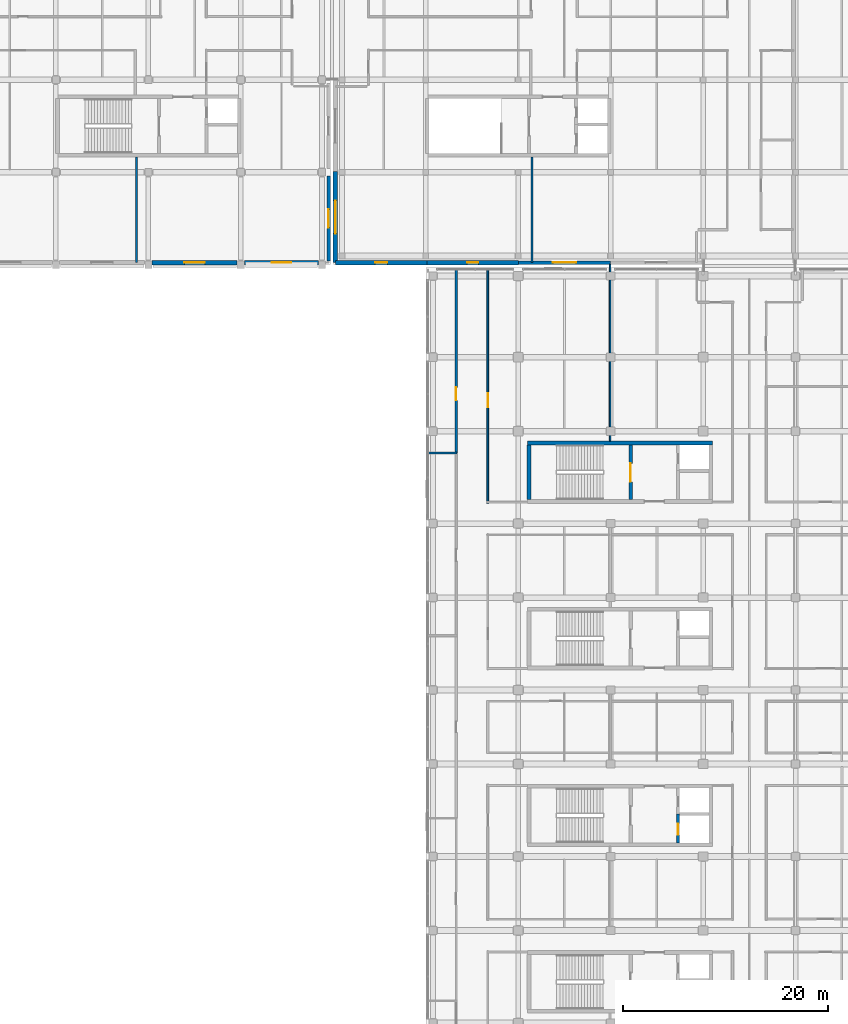
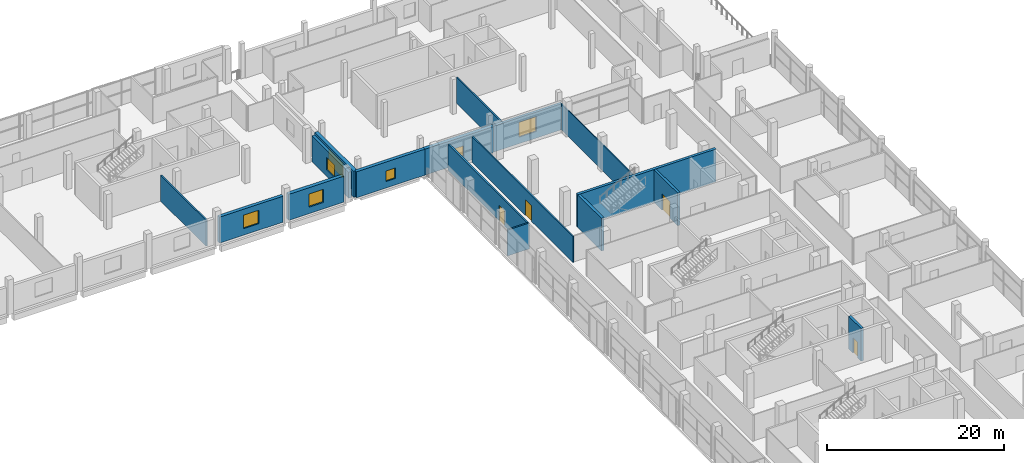
# One storey, part 79 of 111: 17 walls, 7 windows, 4 doors, 11 openings.
"""IFC4 building model written with IfcOpenShell, lengths in metres."""

from ifc_helpers import new_model, si_unit, direction, frame, frame_2d, origin, place, context, subcontext, project, spatial, rectangle, extrude, material, layer, layer_set, type_object, element, fill, save


model = new_model("IFC4")

# Units and contexts
model_context = context("Model", 3, precision=1e-05, world=origin(), true_north=direction((0.0, 1.0)))
body_context = subcontext(model_context, "Body", "Model", "MODEL_VIEW")
ifc_project = project(units=[si_unit("LENGTHUNIT", "METRE"), si_unit("AREAUNIT", "SQUARE_METRE"), si_unit("VOLUMEUNIT", "CUBIC_METRE"), si_unit("PLANEANGLEUNIT", "RADIAN"), si_unit("MASSUNIT", "GRAM", prefix="KILO"), si_unit("THERMODYNAMICTEMPERATUREUNIT", "KELVIN"), si_unit("POWERUNIT", "WATT")], contexts=[model_context])

# Site, building, storey
site_placement = place(None, origin())
site = spatial("IfcSite", under=ifc_project, at=site_placement, CompositionType="ELEMENT")
building_placement = place(site_placement, origin())
building = spatial("IfcBuilding", under=site, at=building_placement, Name="Sindhuravela Promenade Stadium", CompositionType="ELEMENT")
storey_placement = place(building_placement, frame((0.0, 0.0, 9.60009765625)))
storey = spatial("IfcBuildingStorey", under=building, at=storey_placement, Name="L02", CompositionType="ELEMENT", Elevation=9.60009765625)

# Wall, opening, window
ifc_material_1 = material(Name="Terracotta clay brick masonry (15 MPa)", Category="masonry")
ifc_layer_1 = layer(ifc_material_1, 0.340087890625)
ifc_layer_set_1 = layer_set([ifc_layer_1], Name="Terracotta clay brick masonry (15 MPa)")
wall_type_1 = type_object("IfcWallType", Name="EX-WL-BRK340", PredefinedType="SOLIDWALL", material=ifc_layer_set_1)
wall_1_placement = place(storey_placement, frame((161.550048828125, 134.64501953125, 0.0), z_axis=(0.0, 0.0, 1.0), x_axis=(0.0, -1.0, 0.0)))
wall_1 = element("IfcWall", 1, at=wall_1_placement, inside=storey, type_object=wall_type_1, Name="Exterior masonry wall EW06 NORTH L02", PredefinedType="SOLIDWALL", context=body_context, shape_type="SweptSolid", body=[
    extrude(rectangle(XDim=8.2900390625, YDim=0.340087890625, at=frame_2d((4.14501953125, 0.0))), origin(), (0.0, 0.0, 1.0), 3.579833984375),
])
opening_1_placement = place(wall_1_placement, frame((3.2451171875, 0.0, 0.89990234375)))
opening_1 = element("IfcOpeningElement", 2, at=opening_1_placement, cuts=wall_1, Name="Opening W08", PredefinedType="OPENING", context=body_context, shape_type="SweptSolid", body=[
    extrude(rectangle(XDim=1.800048828125, YDim=1.75, at=frame_2d((0.89990234375, 0.875))), frame((0.0, 0.179931640625, 0.0), z_axis=(0.0, -1.0, 0.0), x_axis=(1.0, 0.0, 0.0)), (0.0, 0.0, 1.0), 0.360107421875),
])
ifc_material_2 = material(Name="Tempered laminated low-E glass", Category="glass")
window_type_1 = type_object("IfcWindowType", Name="WN-FAC-1800x1750", PartitioningType="DOUBLE_PANEL_VERTICAL", PredefinedType="WINDOW", material=ifc_material_2)
window_1_placement = place(opening_1_placement, origin())
window_1 = element("IfcWindow", 3, at=window_1_placement, inside=storey, type_object=window_type_1, Name="Window W08 NORTH L02", OverallHeight=1.75, OverallWidth=1.800048828125, PartitioningType="DOUBLE_PANEL_VERTICAL", PredefinedType="WINDOW", context=body_context, shape_type="SweptSolid", body=[
    extrude(rectangle(XDim=1.800048828125, YDim=1.75, at=frame_2d((0.89990234375, 0.875))), frame((0.0, 0.030029296875, 0.0), z_axis=(0.0, -1.0, 0.0), x_axis=(1.0, 0.0, 0.0)), (0.0, 0.0, 1.0), 0.06005859375),
])
fill(opening_1, window_1)

wall_2_placement = place(storey_placement, frame((188.9599609375, 126.199951171875, 0.0), z_axis=(0.0, 0.0, 1.0), x_axis=(-1.0, 0.0, 0.0)))
wall_2 = element("IfcWall", 4, at=wall_2_placement, inside=storey, type_object=wall_type_1, Name="Exterior masonry wall EW06 Pavilion NE L02", PredefinedType="SOLIDWALL", context=body_context, shape_type="SweptSolid", body=[
    extrude(rectangle(XDim=8.919921875, YDim=0.340087890625, at=frame_2d((4.4599609375, 0.0))), origin(), (0.0, 0.0, 1.0), 3.579833984375),
])
opening_2_placement = place(wall_2_placement, frame((3.3349609375, 0.0, 0.89990234375)))
opening_2 = element("IfcOpeningElement", 5, at=opening_2_placement, cuts=wall_2, Name="Opening W30", PredefinedType="OPENING", context=body_context, shape_type="SweptSolid", body=[
    extrude(rectangle(XDim=2.25, YDim=2.050048828125, at=frame_2d((1.125, 1.02490234375))), frame((0.0, 0.179931640625, 0.0), z_axis=(0.0, -1.0, 0.0), x_axis=(1.0, 0.0, 0.0)), (0.0, 0.0, 1.0), 0.360107421875),
])
window_type_2 = type_object("IfcWindowType", Name="WN-FAC-2250x2050", PartitioningType="DOUBLE_PANEL_VERTICAL", PredefinedType="WINDOW", material=ifc_material_2)
window_2_placement = place(opening_2_placement, origin())
window_2 = element("IfcWindow", 6, at=window_2_placement, inside=storey, type_object=window_type_2, Name="Window W30 Pavilion NE L02", OverallHeight=2.050048828125, OverallWidth=2.25, PartitioningType="DOUBLE_PANEL_VERTICAL", PredefinedType="WINDOW", context=body_context, shape_type="SweptSolid", body=[
    extrude(rectangle(XDim=2.25, YDim=2.050048828125, at=frame_2d((1.125, 1.02490234375))), frame((0.0, 0.030029296875, 0.0), z_axis=(0.0, -1.0, 0.0), x_axis=(1.0, 0.0, 0.0)), (0.0, 0.0, 1.0), 0.06005859375),
])
fill(opening_2, window_2)

ifc_layer_2 = layer(ifc_material_1, 0.419921875)
ifc_layer_set_2 = layer_set([ifc_layer_2], Name="Terracotta clay brick masonry (15 MPa)")
wall_type_2 = type_object("IfcWallType", Name="EX-WL-BRK420", PredefinedType="SOLIDWALL", material=ifc_layer_set_2)
wall_3_placement = place(storey_placement, frame((152.64501953125, 126.199951171875, 0.0), z_axis=(0.0, 0.0, 1.0), x_axis=(-1.0, 0.0, 0.0)))
wall_3 = element("IfcWall", 7, at=wall_3_placement, inside=storey, type_object=wall_type_2, Name="Exterior masonry wall EW02 NORTH L02", PredefinedType="SOLIDWALL", context=body_context, shape_type="SweptSolid", body=[
    extrude(rectangle(XDim=8.2900390625, YDim=0.419921875, at=frame_2d((4.14501953125, 0.0))), origin(), (0.0, 0.0, 1.0), 3.579833984375),
])
opening_3_placement = place(wall_3_placement, frame((3.14501953125, 0.0, 0.89990234375)))
opening_3 = element("IfcOpeningElement", 8, at=opening_3_placement, cuts=wall_3, Name="Opening W10", PredefinedType="OPENING", context=body_context, shape_type="SweptSolid", body=[
    extrude(rectangle(XDim=2.0, YDim=1.85009765625, at=frame_2d((1.0, 0.925048828125))), frame((0.0, 0.219970703125, 0.0), z_axis=(0.0, -1.0, 0.0), x_axis=(1.0, 0.0, 0.0)), (0.0, 0.0, 1.0), 0.43994140625),
])
window_type_3 = type_object("IfcWindowType", Name="WN-FAC-2000x1850", PartitioningType="DOUBLE_PANEL_VERTICAL", PredefinedType="WINDOW", material=ifc_material_2)
window_3_placement = place(opening_3_placement, origin())
window_3 = element("IfcWindow", 9, at=window_3_placement, inside=storey, type_object=window_type_3, Name="Window W10 NORTH L02", OverallHeight=1.85009765625, OverallWidth=2.0, PartitioningType="DOUBLE_PANEL_VERTICAL", PredefinedType="WINDOW", context=body_context, shape_type="SweptSolid", body=[
    extrude(rectangle(XDim=2.0, YDim=1.85009765625, at=frame_2d((1.0, 0.925048828125))), frame((0.0, 0.030029296875, 0.0), z_axis=(0.0, -1.0, 0.0), x_axis=(1.0, 0.0, 0.0)), (0.0, 0.0, 1.0), 0.06005859375),
])
fill(opening_3, window_3)

wall_4_placement = place(storey_placement, frame((171.1201171875, 126.199951171875, 0.0), z_axis=(0.0, 0.0, 1.0), x_axis=(-1.0, 0.0, 0.0)))
wall_4 = element("IfcWall", 10, at=wall_4_placement, inside=storey, type_object=wall_type_2, Name="Exterior masonry wall EW02 Pavilion NE L02", PredefinedType="SOLIDWALL", context=body_context, shape_type="SweptSolid", body=[
    extrude(rectangle(XDim=8.920166015625, YDim=0.419921875, at=frame_2d((4.4599609375, 0.0))), origin(), (0.0, 0.0, 1.0), 3.579833984375),
])
opening_4_placement = place(wall_4_placement, frame((3.860107421875, 0.0, 0.89990234375)))
opening_4 = element("IfcOpeningElement", 11, at=opening_4_placement, cuts=wall_4, Name="Opening W02", PredefinedType="OPENING", context=body_context, shape_type="SweptSolid", body=[
    extrude(rectangle(XDim=1.199951171875, YDim=1.449951171875, at=frame_2d((0.60009765625, 0.72509765625))), frame((0.0, 0.219970703125, 0.0), z_axis=(0.0, -1.0, 0.0), x_axis=(1.0, 0.0, 0.0)), (0.0, 0.0, 1.0), 0.43994140625),
])
window_type_4 = type_object("IfcWindowType", Name="WN-FAC-1200x1450", PartitioningType="SINGLE_PANEL", PredefinedType="WINDOW", material=ifc_material_2)
window_4_placement = place(opening_4_placement, origin())
window_4 = element("IfcWindow", 12, at=window_4_placement, inside=storey, type_object=window_type_4, Name="Window W02 Pavilion NE L02", OverallHeight=1.449951171875, OverallWidth=1.199951171875, PartitioningType="SINGLE_PANEL", PredefinedType="WINDOW", context=body_context, shape_type="SweptSolid", body=[
    extrude(rectangle(XDim=1.199951171875, YDim=1.449951171875, at=frame_2d((0.60009765625, 0.72509765625))), frame((0.0, 0.030029296875, 0.0), z_axis=(0.0, -1.0, 0.0), x_axis=(1.0, 0.0, 0.0)), (0.0, 0.0, 1.0), 0.06005859375),
])
fill(opening_4, window_4)

ifc_layer_3 = layer(ifc_material_1, 0.4599609375)
ifc_layer_set_3 = layer_set([ifc_layer_3], Name="Terracotta clay brick masonry (15 MPa)")
wall_type_3 = type_object("IfcWallType", Name="EX-WL-BRK460", PredefinedType="SOLIDWALL", material=ifc_layer_set_3)
wall_5_placement = place(storey_placement, frame((160.544921875, 126.199951171875, 0.0), z_axis=(0.0, 0.0, 1.0), x_axis=(-1.0, 0.0, 0.0)))
wall_5 = element("IfcWall", 13, at=wall_5_placement, inside=storey, type_object=wall_type_3, Name="Exterior masonry wall EW01 NORTH L02", PredefinedType="SOLIDWALL", context=body_context, shape_type="SweptSolid", body=[
    extrude(rectangle(XDim=7.18994140625, YDim=0.4599609375, at=frame_2d((3.594970703125, 0.0))), origin(), (0.0, 0.0, 1.0), 3.579833984375),
])
opening_5_placement = place(wall_5_placement, frame((2.64501953125, 0.0, 0.89990234375)))
opening_5 = element("IfcOpeningElement", 14, at=opening_5_placement, cuts=wall_5, Name="Opening W09", PredefinedType="OPENING", context=body_context, shape_type="SweptSolid", body=[
    extrude(rectangle(XDim=1.89990234375, YDim=1.800048828125, at=frame_2d((0.949951171875, 0.89990234375))), frame((0.0, 0.239990234375, 0.0), z_axis=(0.0, -1.0, 0.0), x_axis=(1.0, 0.0, 0.0)), (0.0, 0.0, 1.0), 0.47998046875),
])
window_type_5 = type_object("IfcWindowType", Name="WN-FAC-1900x1800", PartitioningType="DOUBLE_PANEL_VERTICAL", PredefinedType="WINDOW", material=ifc_material_2)
window_5_placement = place(opening_5_placement, origin())
window_5 = element("IfcWindow", 15, at=window_5_placement, inside=storey, type_object=window_type_5, Name="Window W09 NORTH L02", OverallHeight=1.800048828125, OverallWidth=1.89990234375, PartitioningType="DOUBLE_PANEL_VERTICAL", PredefinedType="WINDOW", context=body_context, shape_type="SweptSolid", body=[
    extrude(rectangle(XDim=1.89990234375, YDim=1.800048828125, at=frame_2d((0.949951171875, 0.89990234375))), frame((0.0, 0.030029296875, 0.0), z_axis=(0.0, -1.0, 0.0), x_axis=(1.0, 0.0, 0.0)), (0.0, 0.0, 1.0), 0.06005859375),
])
fill(opening_5, window_5)

wall_6_placement = place(storey_placement, frame((162.199951171875, 126.199951171875, 0.0), z_axis=(0.0, 0.0, 1.0), x_axis=(0.0, 1.0, 0.0)))
wall_6 = element("IfcWall", 16, at=wall_6_placement, inside=storey, type_object=wall_type_3, Name="Exterior masonry wall EW01 Pavilion NE L02", PredefinedType="SOLIDWALL", context=body_context, shape_type="SweptSolid", body=[
    extrude(rectangle(XDim=8.86669921875, YDim=0.4599609375, at=frame_2d((4.433349609375, 0.0))), origin(), (0.0, 0.0, 1.0), 3.579833984375),
])
opening_6_placement = place(wall_6_placement, frame((2.833251953125, 0.0, 0.89990234375)))
opening_6 = element("IfcOpeningElement", 17, at=opening_6_placement, cuts=wall_6, Name="Opening W22", PredefinedType="OPENING", context=body_context, shape_type="SweptSolid", body=[
    extrude(rectangle(XDim=3.199951171875, YDim=2.050048828125, at=frame_2d((1.60009765625, 1.02490234375))), frame((0.0, 0.239990234375, 0.0), z_axis=(0.0, -1.0, 0.0), x_axis=(1.0, 0.0, 0.0)), (0.0, 0.0, 1.0), 0.47998046875),
])
window_type_6 = type_object("IfcWindowType", Name="WN-FAC-3200x2050", PartitioningType="DOUBLE_PANEL_VERTICAL", PredefinedType="WINDOW", material=ifc_material_2)
window_6_placement = place(opening_6_placement, origin())
window_6 = element("IfcWindow", 18, at=window_6_placement, inside=storey, type_object=window_type_6, Name="Window W22 Pavilion NE L02", OverallHeight=2.050048828125, OverallWidth=3.199951171875, PartitioningType="DOUBLE_PANEL_VERTICAL", PredefinedType="WINDOW", context=body_context, shape_type="SweptSolid", body=[
    extrude(rectangle(XDim=3.199951171875, YDim=2.050048828125, at=frame_2d((1.60009765625, 1.02490234375))), frame((0.0, 0.030029296875, 0.0), z_axis=(0.0, -1.0, 0.0), x_axis=(1.0, 0.0, 0.0)), (0.0, 0.0, 1.0), 0.06005859375),
])
fill(opening_6, window_6)

wall_7_placement = place(storey_placement, frame((180.0400390625, 126.199951171875, 0.0), z_axis=(0.0, 0.0, 1.0), x_axis=(-1.0, 0.0, 0.0)))
wall_7 = element("IfcWall", 19, at=wall_7_placement, inside=storey, type_object=wall_type_3, Name="Exterior masonry wall EW01 Pavilion NE L02", PredefinedType="SOLIDWALL", context=body_context, shape_type="SweptSolid", body=[
    extrude(rectangle(XDim=8.919921875, YDim=0.4599609375, at=frame_2d((4.4599609375, 0.0))), origin(), (0.0, 0.0, 1.0), 3.579833984375),
])
opening_7_placement = place(wall_7_placement, frame((3.909912109375, 0.0, 0.89990234375)))
opening_7 = element("IfcOpeningElement", 20, at=opening_7_placement, cuts=wall_7, Name="Opening W01", PredefinedType="OPENING", context=body_context, shape_type="SweptSolid", body=[
    extrude(rectangle(XDim=1.10009765625, YDim=1.39990234375, at=frame_2d((0.550048828125, 0.699951171875))), frame((0.0, 0.239990234375, 0.0), z_axis=(0.0, -1.0, 0.0), x_axis=(1.0, 0.0, 0.0)), (0.0, 0.0, 1.0), 0.47998046875),
])
window_type_7 = type_object("IfcWindowType", Name="WN-FAC-1100x1400", PartitioningType="SINGLE_PANEL", PredefinedType="WINDOW", material=ifc_material_2)
window_7_placement = place(opening_7_placement, origin())
window_7 = element("IfcWindow", 21, at=window_7_placement, inside=storey, type_object=window_type_7, Name="Window W01 Pavilion NE L02", OverallHeight=1.39990234375, OverallWidth=1.10009765625, PartitioningType="SINGLE_PANEL", PredefinedType="WINDOW", context=body_context, shape_type="SweptSolid", body=[
    extrude(rectangle(XDim=1.10009765625, YDim=1.39990234375, at=frame_2d((0.550048828125, 0.699951171875))), frame((0.0, 0.030029296875, 0.0), z_axis=(0.0, -1.0, 0.0), x_axis=(1.0, 0.0, 0.0)), (0.0, 0.0, 1.0), 0.06005859375),
])
fill(opening_7, window_7)

# Wall
ifc_material_3 = material(Name="Fire-rated gypsum partition board", Category="gypsum")
ifc_layer_4 = layer(ifc_material_3, 0.1298828125)
ifc_layer_set_4 = layer_set([ifc_layer_4], Name="Fire-rated gypsum partition board")
wall_type_4 = type_object("IfcWallType", Name="IN-WL-PAR130", PredefinedType="PARTITIONING", material=ifc_layer_set_4)
wall_8_placement = place(storey_placement, frame((188.949951171875, 126.027099609375, 0.0), z_axis=(0.0, 0.0, 1.0), x_axis=(0.0, -1.0, 0.0)))
element("IfcWall", 22, at=wall_8_placement, inside=storey, type_object=wall_type_4, Name="Interior partition IW05 EAST L02", PredefinedType="PARTITIONING", context=body_context, shape_type="SweptSolid", body=[
    extrude(rectangle(XDim=17.2001953125, YDim=0.1298828125, at=frame_2d((8.60009765625, 0.0))), origin(), (0.0, 0.0, 1.0), 3.559814453125),
])

# Wall, opening, door
ifc_layer_5 = layer(ifc_material_3, 0.175048828125)
ifc_layer_set_5 = layer_set([ifc_layer_5], Name="Fire-rated gypsum partition board")
wall_type_5 = type_object("IfcWallType", Name="IN-WL-PAR175", PredefinedType="PARTITIONING", material=ifc_layer_set_5)
wall_9_placement = place(storey_placement, frame((177.0400390625, 125.550048828125, 0.0), z_axis=(0.0, 0.0, 1.0), x_axis=(0.0, -1.0, 0.0)))
wall_9 = element("IfcWall", 23, at=wall_9_placement, inside=storey, type_object=wall_type_5, Name="Corridor partition IW03 Sports Museum Trophy Gallery", PredefinedType="PARTITIONING", context=body_context, shape_type="SweptSolid", body=[
    extrude(rectangle(XDim=22.780029296875, YDim=0.175048828125, at=frame_2d((11.39013671875, 0.0))), origin(), (0.0, 0.0, 1.0), 3.559814453125),
])
opening_8_placement = place(wall_9_placement, frame((12.04248046875, 0.0, 0.0)))
opening_8 = element("IfcOpeningElement", 24, at=opening_8_placement, cuts=wall_9, Name="Opening ID03", PredefinedType="OPENING", context=body_context, shape_type="SweptSolid", body=[
    extrude(rectangle(XDim=1.39990234375, YDim=2.14990234375, at=frame_2d((0.699951171875, 1.074951171875))), frame((0.0, 0.097412109375, 0.0), z_axis=(0.0, -1.0, 0.0), x_axis=(1.0, 0.0, 0.0)), (0.0, 0.0, 1.0), 0.195068359375),
])
ifc_material_4 = material(Name="Architectural teak timber leaf", Category="wood")
door_type_1 = type_object("IfcDoorType", Name="DR-INT-1400x2150", OperationType="DOUBLE_DOOR_SINGLE_SWING", PredefinedType="DOOR", material=ifc_material_4)
door_1_placement = place(opening_8_placement, origin())
door_1 = element("IfcDoor", 25, at=door_1_placement, inside=storey, type_object=door_type_1, Name="Sports Museum Trophy Gallery door", OperationType="DOUBLE_DOOR_SINGLE_SWING", OverallHeight=2.14990234375, OverallWidth=1.39990234375, PredefinedType="DOOR", context=body_context, shape_type="SweptSolid", body=[
    extrude(rectangle(XDim=1.39990234375, YDim=2.14990234375, at=frame_2d((0.699951171875, 1.074951171875))), frame((0.0, 0.02490234375, 0.0), z_axis=(0.0, -1.0, 0.0), x_axis=(1.0, 0.0, 0.0)), (0.0, 0.0, 1.0), 0.050048828125),
])
fill(opening_8, door_1)

# Walls
wall_10_placement = place(storey_placement, frame((181.340087890625, 126.239990234375, 0.0), z_axis=(0.0, 0.0, 1.0), x_axis=(0.0, 1.0, 0.0)))
element("IfcWall", 26, at=wall_10_placement, inside=storey, type_object=wall_type_5, Name="Interior partition IW03 Pavilion NE L02", PredefinedType="PARTITIONING", context=body_context, shape_type="SweptSolid", body=[
    extrude(rectangle(XDim=10.23291015625, YDim=0.175048828125, at=frame_2d((5.116455078125, 0.0))), origin(), (0.0, 0.0, 1.0), 3.559814453125),
])
ifc_layer_6 = layer(ifc_material_3, 0.195068359375)
ifc_layer_set_6 = layer_set([ifc_layer_6], Name="Fire-rated gypsum partition board")
wall_type_6 = type_object("IfcWallType", Name="IN-WL-PAR195", PredefinedType="PARTITIONING", material=ifc_layer_set_6)
wall_11_placement = place(storey_placement, frame((174.0400390625, 107.657958984375, 0.0), z_axis=(0.0, 0.0, 1.0), x_axis=(-1.0, 0.0, 0.0)))
element("IfcWall", 27, at=wall_11_placement, inside=storey, type_object=wall_type_6, Name="Interior partition IW02 EAST L02", PredefinedType="PARTITIONING", context=body_context, shape_type="SweptSolid", body=[
    extrude(rectangle(XDim=2.80712890625, YDim=0.195068359375, at=frame_2d((1.403564453125, 0.0))), origin(), (0.0, 0.0, 1.0), 3.559814453125),
])
wall_12_placement = place(storey_placement, frame((142.833251953125, 136.472900390625, 0.0), z_axis=(0.0, 0.0, 1.0), x_axis=(0.0, -1.0, 0.0)))
element("IfcWall", 28, at=wall_12_placement, inside=storey, type_object=wall_type_6, Name="Interior partition IW02 NORTH L02", PredefinedType="PARTITIONING", context=body_context, shape_type="SweptSolid", body=[
    extrude(rectangle(XDim=10.23291015625, YDim=0.195068359375, at=frame_2d((5.116455078125, 0.0))), origin(), (0.0, 0.0, 1.0), 3.559814453125),
])

# Wall, opening, door
ifc_layer_7 = layer(ifc_material_3, 0.219970703125)
ifc_layer_set_7 = layer_set([ifc_layer_7], Name="Fire-rated gypsum partition board")
wall_type_7 = type_object("IfcWallType", Name="IN-WL-PAR220", PredefinedType="PARTITIONING", material=ifc_layer_set_7)
wall_13_placement = place(storey_placement, frame((173.9599609375, 107.657958984375, 0.0), z_axis=(0.0, 0.0, 1.0), x_axis=(0.0, 1.0, 0.0)))
wall_13 = element("IfcWall", 29, at=wall_13_placement, inside=storey, type_object=wall_type_7, Name="Corridor partition IW01 Catering Pantry East L02 13", PredefinedType="PARTITIONING", context=body_context, shape_type="SweptSolid", body=[
    extrude(rectangle(XDim=17.89208984375, YDim=0.219970703125, at=frame_2d((8.946044921875, 0.0))), origin(), (0.0, 0.0, 1.0), 3.559814453125),
])
opening_9_placement = place(wall_13_placement, frame((5.1435546875, 0.0, 0.0)))
opening_9 = element("IfcOpeningElement", 30, at=opening_9_placement, cuts=wall_13, Name="Opening ID04", PredefinedType="OPENING", context=body_context, shape_type="SweptSolid", body=[
    extrude(rectangle(XDim=1.25, YDim=2.14990234375, at=frame_2d((0.625, 1.074951171875))), frame((0.0, 0.119873046875, 0.0), z_axis=(0.0, -1.0, 0.0), x_axis=(1.0, 0.0, 0.0)), (0.0, 0.0, 1.0), 0.239990234375),
])
door_type_2 = type_object("IfcDoorType", Name="DR-INT-1250x2150", OperationType="NOTDEFINED", PredefinedType="DOOR", material=ifc_material_4)
door_2_placement = place(opening_9_placement, origin())
door_2 = element("IfcDoor", 31, at=door_2_placement, inside=storey, type_object=door_type_2, Name="Catering Pantry East L02 13 door", OperationType="SINGLE_SWING_RIGHT", OverallHeight=2.14990234375, OverallWidth=1.25, PredefinedType="DOOR", context=body_context, shape_type="SweptSolid", body=[
    extrude(rectangle(XDim=1.25, YDim=2.14990234375, at=frame_2d((0.625, 1.074951171875))), frame((0.0, 0.02490234375, 0.0), z_axis=(0.0, -1.0, 0.0), x_axis=(1.0, 0.0, 0.0)), (0.0, 0.0, 1.0), 0.050048828125),
])
fill(opening_9, door_2)

ifc_material_5 = material(Name="Concrete M50", Category="concrete")
ifc_layer_8 = layer(ifc_material_5, 0.300048828125)
ifc_layer_set_8 = layer_set([ifc_layer_8], Name="Concrete M50")
wall_type_8 = type_object("IfcWallType", Name="RC-SW-300", PredefinedType="SHEAR", material=ifc_layer_set_8)
wall_14_placement = place(storey_placement, frame((195.550048828125, 69.72509765625, 0.0), z_axis=(0.0, 0.0, 1.0), x_axis=(0.0, 1.0, 0.0)))
wall_14 = element("IfcWall", 32, at=wall_14_placement, inside=storey, type_object=wall_type_8, Name="Core shear wall C06-LFT (L02)", PredefinedType="SHEAR", context=body_context, shape_type="SweptSolid", body=[
    extrude(rectangle(XDim=2.824951171875, YDim=0.300048828125, at=frame_2d((1.41259765625, 0.0))), origin(), (0.0, 0.0, 1.0), 4.5),
])
opening_10_placement = place(wall_14_placement, frame((0.77490234375, 0.0, 0.0)))
opening_10 = element("IfcOpeningElement", 33, at=opening_10_placement, cuts=wall_14, Name="Opening LD", PredefinedType="OPENING", context=body_context, shape_type="SweptSolid", body=[
    extrude(rectangle(XDim=1.10009765625, YDim=2.10009765625, at=frame_2d((0.550048828125, 1.050048828125))), frame((0.0, 0.159912109375, 0.0), z_axis=(0.0, -1.0, 0.0), x_axis=(1.0, 0.0, 0.0)), (0.0, 0.0, 1.0), 0.320068359375),
])
ifc_material_6 = material(Name="Architectural wrought steel E350", Category="steel")
door_type_3 = type_object("IfcDoorType", Name="DR-LFT-1100x2100", OperationType="DOUBLE_DOOR_SLIDING", PredefinedType="DOOR", material=ifc_material_6)
door_3_placement = place(opening_10_placement, origin())
door_3 = element("IfcDoor", 34, at=door_3_placement, inside=storey, type_object=door_type_3, Name="Lift PL02 landing door (L02)", OperationType="DOUBLE_DOOR_SLIDING", OverallHeight=2.10009765625, OverallWidth=1.10009765625, PredefinedType="DOOR", context=body_context, shape_type="SweptSolid", body=[
    extrude(rectangle(XDim=1.10009765625, YDim=2.10009765625, at=frame_2d((0.550048828125, 1.050048828125))), frame((0.0, 0.02490234375, 0.0), z_axis=(0.0, -1.0, 0.0), x_axis=(1.0, 0.0, 0.0)), (0.0, 0.0, 1.0), 0.050048828125),
])
fill(opening_10, door_3)

wall_15_placement = place(storey_placement, frame((190.949951171875, 103.125, 0.0), z_axis=(0.0, 0.0, 1.0), x_axis=(0.0, 1.0, 0.0)))
wall_15 = element("IfcWall", 35, at=wall_15_placement, inside=storey, type_object=wall_type_8, Name="Core shear wall C08-ST (L02)", PredefinedType="SHEAR", context=body_context, shape_type="SweptSolid", body=[
    extrude(rectangle(XDim=5.35009765625, YDim=0.300048828125, at=frame_2d((2.675048828125, 0.0))), origin(), (0.0, 0.0, 1.0), 4.5),
])
opening_11_placement = place(wall_15_placement, frame((1.75, 0.0, 0.0)))
opening_11 = element("IfcOpeningElement", 36, at=opening_11_placement, cuts=wall_15, Name="Opening FD01", PredefinedType="OPENING", context=body_context, shape_type="SweptSolid", body=[
    extrude(rectangle(XDim=1.800048828125, YDim=2.25, at=frame_2d((0.89990234375, 1.125))), frame((0.0, 0.159912109375, 0.0), z_axis=(0.0, -1.0, 0.0), x_axis=(1.0, 0.0, 0.0)), (0.0, 0.0, 1.0), 0.320068359375),
])
door_type_4 = type_object("IfcDoorType", Name="DR-CORE-1800x2250", OperationType="DOUBLE_DOOR_SINGLE_SWING", PredefinedType="DOOR", material=ifc_material_6)
door_4_placement = place(opening_11_placement, origin())
door_4 = element("IfcDoor", 37, at=door_4_placement, inside=storey, type_object=door_type_4, Name="Stair ST08 lobby fire door (L02)", OperationType="DOUBLE_DOOR_SINGLE_SWING", OverallHeight=2.25, OverallWidth=1.800048828125, PredefinedType="DOOR", context=body_context, shape_type="SweptSolid", body=[
    extrude(rectangle(XDim=1.800048828125, YDim=2.25, at=frame_2d((0.89990234375, 1.125))), frame((0.0, 0.02490234375, 0.0), z_axis=(0.0, -1.0, 0.0), x_axis=(1.0, 0.0, 0.0)), (0.0, 0.0, 1.0), 0.050048828125),
])
fill(opening_11, door_4)

# Walls
ifc_layer_9 = layer(ifc_material_5, 0.35009765625)
ifc_layer_set_9 = layer_set([ifc_layer_9], Name="Concrete M50")
wall_type_9 = type_object("IfcWallType", Name="RC-SW-350", PredefinedType="SHEAR", material=ifc_layer_set_9)
wall_16_placement = place(storey_placement, frame((198.89990234375, 108.64990234375, 0.0), z_axis=(0.0, 0.0, 1.0), x_axis=(-1.0, 0.0, 0.0)))
element("IfcWall", 38, at=wall_16_placement, inside=storey, type_object=wall_type_9, Name="Core shear wall C08-N (L02)", PredefinedType="SHEAR", context=body_context, shape_type="SweptSolid", body=[
    extrude(rectangle(XDim=18.0, YDim=0.35009765625, at=frame_2d((9.0, 0.0))), origin(), (0.0, 0.0, 1.0), 4.5),
])
wall_17_placement = place(storey_placement, frame((181.050048828125, 108.47509765625, 0.0), z_axis=(0.0, 0.0, 1.0), x_axis=(0.0, -1.0, 0.0)))
element("IfcWall", 39, at=wall_17_placement, inside=storey, type_object=wall_type_9, Name="Core shear wall C08-W (L02)", PredefinedType="SHEAR", context=body_context, shape_type="SweptSolid", body=[
    extrude(rectangle(XDim=5.35009765625, YDim=0.35009765625, at=frame_2d((2.675048828125, 0.0))), origin(), (0.0, 0.0, 1.0), 4.5),
])

save(model, "model.ifc")
